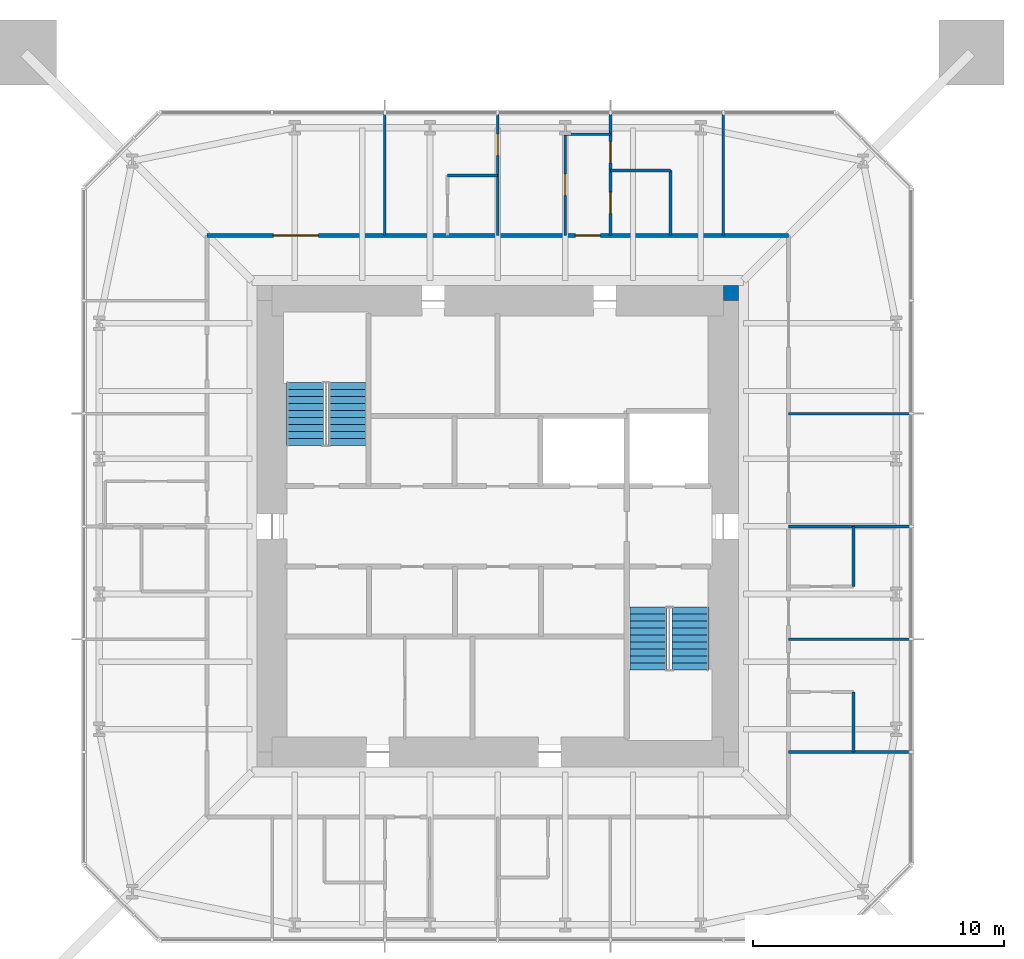
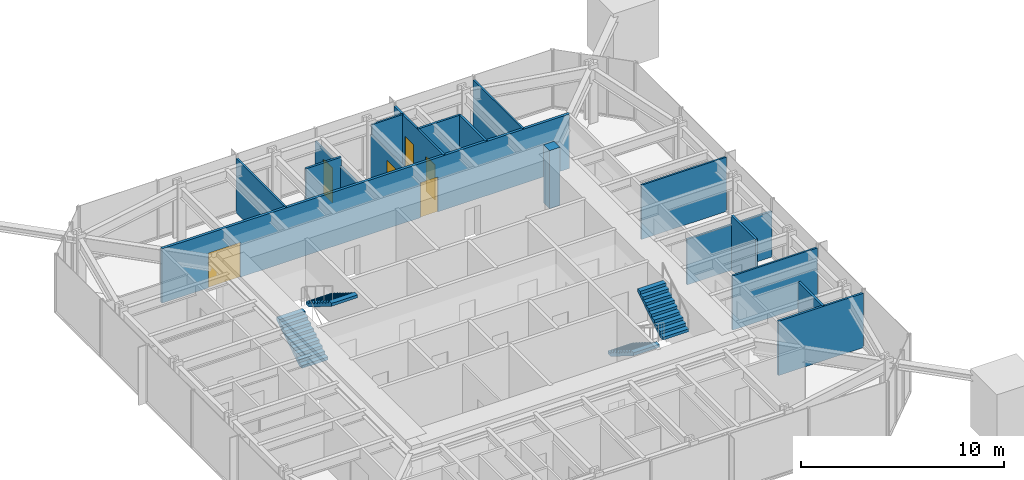
# One storey, part 8 of 9: 17 walls, 6 doors, 4 stair flights, 6 openings, 2 elements without a shape of their own.
"""IFC4 building model written with IfcOpenShell, lengths in metres."""

from ifc_helpers import new_model, si_unit, direction, frame, frame_2d, origin, place, context, subcontext, project, spatial, polyline, rectangle, outline, extrude, material, layer, layer_set, constituent, constituent_set, type_object, element, fill, aggregate, save


model = new_model("IFC4")

# Units and contexts
model_context = context("Model", 3, precision=1e-05, world=origin(), true_north=direction((0.0, 1.0)))
body_context = subcontext(model_context, "Body", "Model", "MODEL_VIEW")
ifc_project = project(units=[si_unit("LENGTHUNIT", "METRE"), si_unit("AREAUNIT", "SQUARE_METRE"), si_unit("VOLUMEUNIT", "CUBIC_METRE"), si_unit("PLANEANGLEUNIT", "RADIAN"), si_unit("MASSUNIT", "GRAM", prefix="KILO")], contexts=[model_context])

# Site, building, storey
site_placement = place(None, origin())
site = spatial("IfcSite", under=ifc_project, at=site_placement, CompositionType="ELEMENT")
building_placement = place(site_placement, origin())
building = spatial("IfcBuilding", under=site, at=building_placement, Name="Iwan Alto Co-Living Towers", CompositionType="ELEMENT")
storey_placement = place(building_placement, frame((0.0, 0.0, 257.0)))
storey = spatial("IfcBuildingStorey", under=building, at=storey_placement, Name="L70", CompositionType="ELEMENT", Elevation=257.0)

# Wall, openings, doors
ifc_material_1 = material(Name="Gypsum board")
ifc_layer_1 = layer(ifc_material_1, 0.02490234375, Name="Board", Category="Finish")
ifc_material_2 = material(Name="Steel ASTM A1003 ST33H cold-formed studs", Category="steel")
ifc_layer_2 = layer(ifc_material_2, 0.10009765625, Name="Studs", Category="Framing")
ifc_layer_3 = layer(ifc_material_1, 0.02490234375, Name="Board", Category="Finish")
ifc_layer_set_1 = layer_set([ifc_layer_1, ifc_layer_2, ifc_layer_3], Name="CORRIDOR WALL 150")
wall_type_1 = type_object("IfcWallType", Name="CORRIDOR WALL 150", PredefinedType="PARTITIONING", material=ifc_layer_set_1)
wall_1_placement = place(storey_placement, frame((-11.60009765625, 11.60009765625, 0.0), z_axis=(0.0, 0.0, 1.0), x_axis=(1.0, 0.0, 0.0)))
wall_1 = element("IfcWall", 1, at=wall_1_placement, inside=storey, type_object=wall_type_1, Name="Partition L70", PredefinedType="PARTITIONING", context=body_context, shape_type="SweptSolid", body=[
    extrude(rectangle(XDim=23.2001953125, YDim=0.14990234375, at=frame_2d((11.60009765625, 0.0))), origin(), (0.0, 0.0, 1.0), 3.27001953125),
])
opening_1_placement = place(wall_1_placement, frame((14.699951171875, 0.0, 0.0)))
opening_1 = element("IfcOpeningElement", 2, at=opening_1_placement, cuts=wall_1, Name="Opening D3", PredefinedType="OPENING", context=body_context, shape_type="SweptSolid", body=[
    extrude(rectangle(XDim=1.0, YDim=2.10009765625, at=frame_2d((0.5, 1.050048828125))), frame((0.0, 0.0849609375, 0.0), z_axis=(0.0, -1.0, 0.0), x_axis=(1.0, 0.0, 0.0)), (0.0, 0.0, 1.0), 0.169921875),
])
opening_2_placement = place(wall_1_placement, frame((2.64990234375, 0.0, 0.0)))
opening_2 = element("IfcOpeningElement", 3, at=opening_2_placement, cuts=wall_1, Name="Opening D9", PredefinedType="OPENING", context=body_context, shape_type="SweptSolid", body=[
    extrude(rectangle(XDim=1.800048828125, YDim=2.10009765625, at=frame_2d((0.89990234375, 1.050048828125))), frame((0.0, 0.0849609375, 0.0), z_axis=(0.0, -1.0, 0.0), x_axis=(1.0, 0.0, 0.0)), (0.0, 0.0, 1.0), 0.169921875),
])
ifc_material_3 = material(Name="Steel frame with timber leaf", Category="steel")
door_type_1 = type_object("IfcDoorType", Name="FLAT ENTRANCE DOOR FD30S 1000X2100", OperationType="SINGLE_SWING_LEFT", PredefinedType="DOOR", material=ifc_material_3)
door_1_placement = place(opening_1_placement, origin())
door_1 = element("IfcDoor", 4, at=door_1_placement, inside=storey, type_object=door_type_1, Name="Apartment foyer door L70", OperationType="SINGLE_SWING_LEFT", OverallHeight=2.10009765625, OverallWidth=1.0, PredefinedType="DOOR", context=body_context, shape_type="SweptSolid", body=[
    extrude(rectangle(XDim=1.0, YDim=2.10009765625, at=frame_2d((0.5, 1.050048828125))), frame((0.0, 0.02490234375, 0.0), z_axis=(0.0, -1.0, 0.0), x_axis=(1.0, 0.0, 0.0)), (0.0, 0.0, 1.0), 0.050048828125),
])
fill(opening_1, door_1)
ifc_material_4 = material(Name="Steel frame with timber leaf", Category="steel")
door_type_2 = type_object("IfcDoorType", Name="LOUNGE DOOR FD30S 1800X2100", OperationType="DOUBLE_DOOR_SINGLE_SWING", PredefinedType="DOOR", material=ifc_material_4)
door_2_placement = place(opening_2_placement, origin())
door_2 = element("IfcDoor", 5, at=door_2_placement, inside=storey, type_object=door_type_2, Name="Study lounge door L70", OperationType="DOUBLE_DOOR_SINGLE_SWING", OverallHeight=2.10009765625, OverallWidth=1.800048828125, PredefinedType="DOOR", context=body_context, shape_type="SweptSolid", body=[
    extrude(rectangle(XDim=1.800048828125, YDim=2.10009765625, at=frame_2d((0.89990234375, 1.050048828125))), frame((0.0, 0.02490234375, 0.0), z_axis=(0.0, -1.0, 0.0), x_axis=(1.0, 0.0, 0.0)), (0.0, 0.0, 1.0), 0.050048828125),
])
fill(opening_2, door_2)

# Walls
ifc_layer_4 = layer(ifc_material_1, 0.012451171875, Name="Board", Category="Finish")
ifc_layer_5 = layer(ifc_material_2, 0.074951171875, Name="Studs", Category="Framing")
ifc_layer_6 = layer(ifc_material_1, 0.012451171875, Name="Board", Category="Finish")
ifc_layer_set_2 = layer_set([ifc_layer_4, ifc_layer_5, ifc_layer_6], Name="PARTITION 100")
wall_type_2 = type_object("IfcWallType", Name="PARTITION 100", PredefinedType="PARTITIONING", material=ifc_layer_set_2)
for number, where, z_axis, x_axis, name in (
    (6, (11.60009765625, -4.5, 0.0), (0.0, 0.0, 1.0), (1.0, 0.0, 0.0), "Partition L70"),
    (7, (11.60009765625, 4.5, 0.0), (0.0, 0.0, 1.0), (1.0, 0.0, 0.0), "Partition L70"),
):
    element("IfcWall", number, at=place(storey_placement, frame(where, z_axis=z_axis, x_axis=x_axis)), inside=storey, type_object=wall_type_2, Name=name, PredefinedType="PARTITIONING", context=body_context, shape_type="SweptSolid", body=[
        extrude(rectangle(XDim=4.83984375, YDim=0.10009765625, at=frame_2d((2.419921875, 0.0))), origin(), (0.0, 0.0, 1.0), 3.27001953125),
    ])
wall_2_placement = place(storey_placement, frame((2.699951171875, 15.64990234375, 0.0), z_axis=(0.0, 0.0, 1.0), x_axis=(1.0, 0.0, 0.0)))
element("IfcWall", 8, at=wall_2_placement, inside=storey, type_object=wall_type_2, Name="Partition L70", PredefinedType="PARTITIONING", context=body_context, shape_type="SweptSolid", body=[
    extrude(rectangle(XDim=1.800048828125, YDim=0.10009765625, at=frame_2d((0.89990234375, 0.0))), origin(), (0.0, 0.0, 1.0), 3.27001953125),
])
wall_3_placement = place(storey_placement, frame((9.0, 11.60009765625, 0.0), z_axis=(0.0, 0.0, 1.0), x_axis=(0.0, 1.0, 0.0)))
element("IfcWall", 9, at=wall_3_placement, inside=storey, type_object=wall_type_2, Name="Partition L70", PredefinedType="PARTITIONING", context=body_context, shape_type="SweptSolid", body=[
    extrude(rectangle(XDim=4.83984375, YDim=0.10009765625, at=frame_2d((2.419921875, 0.0))), origin(), (0.0, 0.0, 1.0), 3.27001953125),
])

# Wall, opening, door
wall_4_placement = place(storey_placement, frame((2.699951171875, 11.60009765625, 0.0), z_axis=(0.0, 0.0, 1.0), x_axis=(0.0, 1.0, 0.0)))
wall_4 = element("IfcWall", 10, at=wall_4_placement, inside=storey, type_object=wall_type_2, Name="Partition L70", PredefinedType="PARTITIONING", context=body_context, shape_type="SweptSolid", body=[
    extrude(rectangle(XDim=4.0498046875, YDim=0.10009765625, at=frame_2d((2.02490234375, 0.0))), origin(), (0.0, 0.0, 1.0), 2.662841796875),
])
opening_3_placement = place(wall_4_placement, frame((1.60009765625, 0.0, 0.0)))
opening_3 = element("IfcOpeningElement", 11, at=opening_3_placement, cuts=wall_4, Name="Opening D2", PredefinedType="OPENING", context=body_context, shape_type="SweptSolid", body=[
    extrude(rectangle(XDim=0.85009765625, YDim=2.10009765625, at=frame_2d((0.425048828125, 1.050048828125))), frame((0.0, 0.06005859375, 0.0), z_axis=(0.0, -1.0, 0.0), x_axis=(1.0, 0.0, 0.0)), (0.0, 0.0, 1.0), 0.1201171875),
])
ifc_material_5 = material(Name="Timber leaf in steel frame", Category="steel")
door_type_3 = type_object("IfcDoorType", Name="ROOM DOOR 850X2100", OperationType="SINGLE_SWING_LEFT", PredefinedType="DOOR", material=ifc_material_5)
door_3_placement = place(opening_3_placement, origin())
door_3 = element("IfcDoor", 12, at=door_3_placement, inside=storey, type_object=door_type_3, Name="Apartment foyer door L70", OperationType="SINGLE_SWING_RIGHT", OverallHeight=2.10009765625, OverallWidth=0.85009765625, PredefinedType="DOOR", context=body_context, shape_type="SweptSolid", body=[
    extrude(rectangle(XDim=0.85009765625, YDim=2.10009765625, at=frame_2d((0.425048828125, 1.050048828125))), frame((0.0, 0.02490234375, 0.0), z_axis=(0.0, -1.0, 0.0), x_axis=(1.0, 0.0, 0.0)), (0.0, 0.0, 1.0), 0.050048828125),
])
fill(opening_3, door_3)

wall_5_placement = place(storey_placement, frame((0.0, 11.60009765625, 0.0), z_axis=(0.0, 0.0, 1.0), x_axis=(0.0, 1.0, 0.0)))
wall_5 = element("IfcWall", 13, at=wall_5_placement, inside=storey, type_object=wall_type_2, Name="Partition L70", PredefinedType="PARTITIONING", context=body_context, shape_type="SweptSolid", body=[
    extrude(rectangle(XDim=4.83984375, YDim=0.10009765625, at=frame_2d((2.419921875, 0.0))), origin(), (0.0, 0.0, 1.0), 2.736572265625),
])
opening_4_placement = place(wall_5_placement, frame((3.195068359375, 0.0, 0.0)))
opening_4 = element("IfcOpeningElement", 14, at=opening_4_placement, cuts=wall_5, Name="Opening D2", PredefinedType="OPENING", context=body_context, shape_type="SweptSolid", body=[
    extrude(rectangle(XDim=0.85009765625, YDim=2.10009765625, at=frame_2d((0.425048828125, 1.050048828125))), frame((0.0, 0.06005859375, 0.0), z_axis=(0.0, -1.0, 0.0), x_axis=(1.0, 0.0, 0.0)), (0.0, 0.0, 1.0), 0.1201171875),
])
door_4_placement = place(opening_4_placement, origin())
door_4 = element("IfcDoor", 15, at=door_4_placement, inside=storey, type_object=door_type_3, Name="Bedroom door L70", OperationType="SINGLE_SWING_LEFT", OverallHeight=2.10009765625, OverallWidth=0.85009765625, PredefinedType="DOOR", context=body_context, shape_type="SweptSolid", body=[
    extrude(rectangle(XDim=0.85009765625, YDim=2.10009765625, at=frame_2d((0.425048828125, 1.050048828125))), frame((0.0, 0.02490234375, 0.0), z_axis=(0.0, -1.0, 0.0), x_axis=(1.0, 0.0, 0.0)), (0.0, 0.0, 1.0), 0.050048828125),
])
fill(opening_4, door_4)

# Walls
wall_6_placement = place(storey_placement, frame((-4.5, 11.60009765625, 0.0), z_axis=(0.0, 0.0, 1.0), x_axis=(0.0, 1.0, 0.0)))
element("IfcWall", 16, at=wall_6_placement, inside=storey, type_object=wall_type_2, Name="Partition L70", PredefinedType="PARTITIONING", context=body_context, shape_type="SweptSolid", body=[
    extrude(rectangle(XDim=4.83984375, YDim=0.10009765625, at=frame_2d((2.419921875, 0.0))), origin(), (0.0, 0.0, 1.0), 3.27001953125),
])
ifc_material_6 = material(Name="Concrete f'c 70 MPa", Category="concrete")
ifc_layer_7 = layer(ifc_material_6, 0.60009765625)
ifc_layer_set_3 = layer_set([ifc_layer_7], Name="T1 CORE CORNER FILL 600")
wall_type_3 = type_object("IfcWallType", Name="T1 CORE CORNER FILL 600", PredefinedType="SOLIDWALL", material=ifc_layer_set_3)
wall_7_placement = place(storey_placement, frame((9.0, 9.300048828125, 0.0), z_axis=(0.0, 0.0, 1.0), x_axis=(1.0, 0.0, 0.0)))
element("IfcWall", 17, at=wall_7_placement, inside=storey, type_object=wall_type_3, Name="T1 core corner NE L70", PredefinedType="SOLIDWALL", context=body_context, shape_type="SweptSolid", body=[
    extrude(rectangle(XDim=0.60009765625, YDim=0.60009765625, at=frame_2d((0.300048828125, 0.0))), origin(), (0.0, 0.0, 1.0), 3.5),
])
ifc_material_7 = material(Name="Cement board")
ifc_layer_8 = layer(ifc_material_7, 0.012451171875, Name="Board", Category="Finish")
ifc_layer_9 = layer(ifc_material_2, 0.094970703125, Name="Studs", Category="Framing")
ifc_layer_10 = layer(ifc_material_7, 0.012451171875, Name="Board", Category="Finish")
ifc_layer_set_4 = layer_set([ifc_layer_8, ifc_layer_9, ifc_layer_10], Name="WET AREA PARTITION 120")
wall_type_4 = type_object("IfcWallType", Name="WET AREA PARTITION 120", PredefinedType="PARTITIONING", material=ifc_layer_set_4)
wall_8_placement = place(storey_placement, frame((11.60009765625, -9.0, 0.0), z_axis=(0.0, 0.0, 1.0), x_axis=(1.0, 0.0, 0.0)))
element("IfcWall", 18, at=wall_8_placement, inside=storey, type_object=wall_type_4, Name="Partition L70", PredefinedType="PARTITIONING", context=body_context, shape_type="SweptSolid", body=[
    extrude(rectangle(XDim=4.83984375, YDim=0.1201171875, at=frame_2d((2.419921875, 0.0))), origin(), (0.0, 0.0, 1.0), 3.27001953125),
])
wall_9_placement = place(storey_placement, frame((11.60009765625, 0.0, 0.0), z_axis=(0.0, 0.0, 1.0), x_axis=(1.0, 0.0, 0.0)))
element("IfcWall", 19, at=wall_9_placement, inside=storey, type_object=wall_type_4, Name="Partition L70", PredefinedType="PARTITIONING", context=body_context, shape_type="SweptSolid", body=[
    extrude(rectangle(XDim=4.83984375, YDim=0.1201171875, at=frame_2d((2.419921875, 0.0))), origin(), (0.0, 0.0, 1.0), 2.736572265625),
])
wall_10_placement = place(storey_placement, frame((-2.0, 14.0, 0.0), z_axis=(0.0, 0.0, 1.0), x_axis=(1.0, 0.0, 0.0)))
element("IfcWall", 20, at=wall_10_placement, inside=storey, type_object=wall_type_4, Name="Partition L70", PredefinedType="PARTITIONING", context=body_context, shape_type="SweptSolid", body=[
    extrude(rectangle(XDim=2.0, YDim=0.1201171875, at=frame_2d((1.0, 0.0))), origin(), (0.0, 0.0, 1.0), 3.27001953125),
])
for number, where, z_axis, x_axis, name in (
    (21, (4.5, 14.199951171875, 0.0), (0.0, 0.0, 1.0), (1.0, 0.0, 0.0), "Partition L70"),
    (22, (14.199951171875, -9.0, 0.0), (0.0, 0.0, 1.0), (0.0, 1.0, 0.0), "Partition L70"),
    (23, (14.199951171875, -2.39990234375, 0.0), (0.0, 0.0, 1.0), (0.0, 1.0, 0.0), "Partition L70"),
):
    element("IfcWall", number, at=place(storey_placement, frame(where, z_axis=z_axis, x_axis=x_axis)), inside=storey, type_object=wall_type_4, Name=name, PredefinedType="PARTITIONING", context=body_context, shape_type="SweptSolid", body=[
        extrude(rectangle(XDim=2.39990234375, YDim=0.1201171875, at=frame_2d((1.199951171875, 0.0))), origin(), (0.0, 0.0, 1.0), 3.27001953125),
    ])
wall_11_placement = place(storey_placement, frame((6.89990234375, 11.60009765625, 0.0), z_axis=(0.0, 0.0, 1.0), x_axis=(0.0, 1.0, 0.0)))
element("IfcWall", 24, at=wall_11_placement, inside=storey, type_object=wall_type_4, Name="Partition L70", PredefinedType="PARTITIONING", context=body_context, shape_type="SweptSolid", body=[
    extrude(rectangle(XDim=2.599853515625, YDim=0.1201171875, at=frame_2d((1.2998046875, 0.0))), origin(), (0.0, 0.0, 1.0), 3.27001953125),
])

# Wall, openings, doors
wall_12_placement = place(storey_placement, frame((4.5, 11.60009765625, 0.0), z_axis=(0.0, 0.0, 1.0), x_axis=(0.0, 1.0, 0.0)))
wall_12 = element("IfcWall", 25, at=wall_12_placement, inside=storey, type_object=wall_type_4, Name="Partition L70", PredefinedType="PARTITIONING", context=body_context, shape_type="SweptSolid", body=[
    extrude(rectangle(XDim=4.83984375, YDim=0.1201171875, at=frame_2d((2.419921875, 0.0))), origin(), (0.0, 0.0, 1.0), 3.27001953125),
])
opening_5_placement = place(wall_12_placement, frame((2.89990234375, 0.0, 0.0)))
opening_5 = element("IfcOpeningElement", 26, at=opening_5_placement, cuts=wall_12, Name="Opening D2", PredefinedType="OPENING", context=body_context, shape_type="SweptSolid", body=[
    extrude(rectangle(XDim=0.85009765625, YDim=2.10009765625, at=frame_2d((0.425048828125, 1.050048828125))), frame((0.0, 0.070068359375, 0.0), z_axis=(0.0, -1.0, 0.0), x_axis=(1.0, 0.0, 0.0)), (0.0, 0.0, 1.0), 0.14013671875),
])
opening_6_placement = place(wall_12_placement, frame((0.875, 0.0, 0.0)))
opening_6 = element("IfcOpeningElement", 27, at=opening_6_placement, cuts=wall_12, Name="Opening D2", PredefinedType="OPENING", context=body_context, shape_type="SweptSolid", body=[
    extrude(rectangle(XDim=0.85009765625, YDim=2.10009765625, at=frame_2d((0.425048828125, 1.050048828125))), frame((0.0, 0.070068359375, 0.0), z_axis=(0.0, -1.0, 0.0), x_axis=(1.0, 0.0, 0.0)), (0.0, 0.0, 1.0), 0.14013671875),
])
door_5_placement = place(opening_5_placement, frame((0.85009765625, 0.0, 0.0), z_axis=(0.0, 0.0, 1.0), x_axis=(-1.0, 0.0, 0.0)))
door_5 = element("IfcDoor", 28, at=door_5_placement, inside=storey, type_object=door_type_3, Name="Bedroom door L70", OperationType="SINGLE_SWING_RIGHT", OverallHeight=2.10009765625, OverallWidth=0.85009765625, PredefinedType="DOOR", context=body_context, shape_type="SweptSolid", body=[
    extrude(rectangle(XDim=0.85009765625, YDim=2.10009765625, at=frame_2d((0.425048828125, 1.050048828125))), frame((0.0, 0.02490234375, 0.0), z_axis=(0.0, -1.0, 0.0), x_axis=(1.0, 0.0, 0.0)), (0.0, 0.0, 1.0), 0.050048828125),
])
fill(opening_5, door_5)
door_6_placement = place(opening_6_placement, frame((0.85009765625, 0.0, 0.0), z_axis=(0.0, 0.0, 1.0), x_axis=(-1.0, 0.0, 0.0)))
door_6 = element("IfcDoor", 29, at=door_6_placement, inside=storey, type_object=door_type_3, Name="Bathroom door L70", OperationType="SINGLE_SWING_RIGHT", OverallHeight=2.10009765625, OverallWidth=0.85009765625, PredefinedType="DOOR", context=body_context, shape_type="SweptSolid", body=[
    extrude(rectangle(XDim=0.85009765625, YDim=2.10009765625, at=frame_2d((0.425048828125, 1.050048828125))), frame((0.0, 0.02490234375, 0.0), z_axis=(0.0, -1.0, 0.0), x_axis=(1.0, 0.0, 0.0)), (0.0, 0.0, 1.0), 0.050048828125),
])
fill(opening_6, door_6)

# Stair, stair flights
ifc_material_8 = material(Name="Steel ASTM A36", Category="steel")
ifc_constituent_1 = constituent(ifc_material_8, Name="Stringers", Category="LoadBearing")
ifc_material_9 = material(Name="Concrete f'c 30 MPa", Category="concrete")
ifc_constituent_2 = constituent(ifc_material_9, Name="Tread fill", Category="Finish")
ifc_constituent_set_1 = constituent_set(constituents=[ifc_constituent_1, ifc_constituent_2], Name="STAIR 3500 TWO-FLIGHT T1 CORE")
stair_type = type_object("IfcStairType", Name="STAIR 3500 TWO-FLIGHT T1 CORE", PredefinedType="HALF_TURN_STAIR", material=ifc_constituent_set_1)
stair_1_placement = place(storey_placement, origin())
stair_1 = element("IfcStair", 30, at=stair_1_placement, inside=storey, type_object=stair_type, Name="Stair T1-S1 L70 to L71", PredefinedType="HALF_TURN_STAIR")
ifc_constituent_3 = constituent(ifc_material_8, Name="Stringers", Category="LoadBearing")
ifc_constituent_4 = constituent(ifc_material_9, Name="Tread fill", Category="Finish")
ifc_constituent_set_2 = constituent_set(constituents=[ifc_constituent_3, ifc_constituent_4], Name="STAIR FLIGHT 10 RISERS 280 GOING")
stair_flight_type = type_object("IfcStairFlightType", Name="STAIR FLIGHT 10 RISERS 280 GOING", PredefinedType="STRAIGHT", material=ifc_constituent_set_2)
stair_flight_1_placement = place(storey_placement, frame((-7.68994140625, 3.219970703125, 0.0), z_axis=(0.0, 0.0, 1.0), x_axis=(0.0, 1.0, 0.0)))
stair_flight_1 = element("IfcStairFlight", 31, at=stair_flight_1_placement, type_object=stair_flight_type, Name="T1-S1 flight 1", NumberOfRisers=10, NumberOfTreads=9, PredefinedType="STRAIGHT", RiserHeight=0.175, TreadLength=0.28, context=body_context, shape_type="SweptSolid", body=[
    extrude(outline(polyline([(0.0, 0.0), (0.0, 0.175048828125), (0.280029296875, 0.175048828125), (0.280029296875, 0.35009765625), (0.56005859375, 0.35009765625), (0.56005859375, 0.52490234375), (0.840087890625, 0.52490234375), (0.840087890625, 0.699951171875), (1.1201171875, 0.699951171875), (1.1201171875, 0.875), (1.39990234375, 0.875), (1.39990234375, 1.050048828125), (1.679931640625, 1.050048828125), (1.679931640625, 1.22509765625), (1.9599609375, 1.22509765625), (1.9599609375, 1.39990234375), (2.239990234375, 1.39990234375), (2.239990234375, 1.574951171875), (2.52001953125, 1.574951171875), (2.52001953125, 1.75), (2.52001953125, 1.398193359375), (0.28271484375, 0.0), (0.0, 0.0)])), frame((0.0, 0.739990234375, 0.0), z_axis=(0.0, -1.0, 0.0), x_axis=(1.0, 0.0, 0.0)), (0.0, 0.0, 1.0), 1.47998046875),
])
stair_flight_2_placement = place(storey_placement, frame((-6.010009765625, 5.739990234375, 1.75), z_axis=(0.0, 0.0, 1.0), x_axis=(0.0, -1.0, 0.0)))
stair_flight_2 = element("IfcStairFlight", 32, at=stair_flight_2_placement, type_object=stair_flight_type, Name="T1-S1 flight 2", NumberOfRisers=10, NumberOfTreads=9, PredefinedType="STRAIGHT", RiserHeight=0.175, TreadLength=0.28, context=body_context, shape_type="SweptSolid", body=[
    extrude(outline(polyline([(0.0, 0.0), (0.0, 0.175048828125), (0.280029296875, 0.175048828125), (0.280029296875, 0.35009765625), (0.56005859375, 0.35009765625), (0.56005859375, 0.52490234375), (0.840087890625, 0.52490234375), (0.840087890625, 0.699951171875), (1.1201171875, 0.699951171875), (1.1201171875, 0.875), (1.39990234375, 0.875), (1.39990234375, 1.050048828125), (1.679931640625, 1.050048828125), (1.679931640625, 1.22509765625), (1.9599609375, 1.22509765625), (1.9599609375, 1.39990234375), (2.239990234375, 1.39990234375), (2.239990234375, 1.574951171875), (2.52001953125, 1.574951171875), (2.52001953125, 1.75), (2.52001953125, 1.398193359375), (0.28271484375, 0.0), (0.0, 0.0)])), frame((0.0, 0.739990234375, 0.0), z_axis=(0.0, -1.0, 0.0), x_axis=(1.0, 0.0, 0.0)), (0.0, 0.0, 1.0), 1.47998046875),
])
aggregate(stair_1, [stair_flight_1, stair_flight_2])

stair_2_placement = place(storey_placement, origin())
stair_2 = element("IfcStair", 33, at=stair_2_placement, inside=storey, type_object=stair_type, Name="Stair T1-S2 L70 to L71", PredefinedType="HALF_TURN_STAIR")
stair_flight_3_placement = place(storey_placement, frame((6.010009765625, -3.219970703125, 0.0), z_axis=(0.0, 0.0, 1.0), x_axis=(0.0, -1.0, 0.0)))
stair_flight_3 = element("IfcStairFlight", 34, at=stair_flight_3_placement, type_object=stair_flight_type, Name="T1-S2 flight 1", NumberOfRisers=10, NumberOfTreads=9, PredefinedType="STRAIGHT", RiserHeight=0.175, TreadLength=0.28, context=body_context, shape_type="SweptSolid", body=[
    extrude(outline(polyline([(0.0, 0.0), (0.0, 0.175048828125), (0.280029296875, 0.175048828125), (0.280029296875, 0.35009765625), (0.56005859375, 0.35009765625), (0.56005859375, 0.52490234375), (0.840087890625, 0.52490234375), (0.840087890625, 0.699951171875), (1.1201171875, 0.699951171875), (1.1201171875, 0.875), (1.39990234375, 0.875), (1.39990234375, 1.050048828125), (1.679931640625, 1.050048828125), (1.679931640625, 1.22509765625), (1.9599609375, 1.22509765625), (1.9599609375, 1.39990234375), (2.239990234375, 1.39990234375), (2.239990234375, 1.574951171875), (2.52001953125, 1.574951171875), (2.52001953125, 1.75), (2.52001953125, 1.398193359375), (0.28271484375, 0.0), (0.0, 0.0)])), frame((0.0, 0.739990234375, 0.0), z_axis=(0.0, -1.0, 0.0), x_axis=(1.0, 0.0, 0.0)), (0.0, 0.0, 1.0), 1.47998046875),
])
stair_flight_4_placement = place(storey_placement, frame((7.68994140625, -5.739990234375, 1.75), z_axis=(0.0, 0.0, 1.0), x_axis=(0.0, 1.0, 0.0)))
stair_flight_4 = element("IfcStairFlight", 35, at=stair_flight_4_placement, type_object=stair_flight_type, Name="T1-S2 flight 2", NumberOfRisers=10, NumberOfTreads=9, PredefinedType="STRAIGHT", RiserHeight=0.175, TreadLength=0.28, context=body_context, shape_type="SweptSolid", body=[
    extrude(outline(polyline([(0.0, 0.0), (0.0, 0.175048828125), (0.280029296875, 0.175048828125), (0.280029296875, 0.35009765625), (0.56005859375, 0.35009765625), (0.56005859375, 0.52490234375), (0.840087890625, 0.52490234375), (0.840087890625, 0.699951171875), (1.1201171875, 0.699951171875), (1.1201171875, 0.875), (1.39990234375, 0.875), (1.39990234375, 1.050048828125), (1.679931640625, 1.050048828125), (1.679931640625, 1.22509765625), (1.9599609375, 1.22509765625), (1.9599609375, 1.39990234375), (2.239990234375, 1.39990234375), (2.239990234375, 1.574951171875), (2.52001953125, 1.574951171875), (2.52001953125, 1.75), (2.52001953125, 1.398193359375), (0.28271484375, 0.0), (0.0, 0.0)])), frame((0.0, 0.739990234375, 0.0), z_axis=(0.0, -1.0, 0.0), x_axis=(1.0, 0.0, 0.0)), (0.0, 0.0, 1.0), 1.47998046875),
])
aggregate(stair_2, [stair_flight_3, stair_flight_4])

save(model, "model.ifc")
